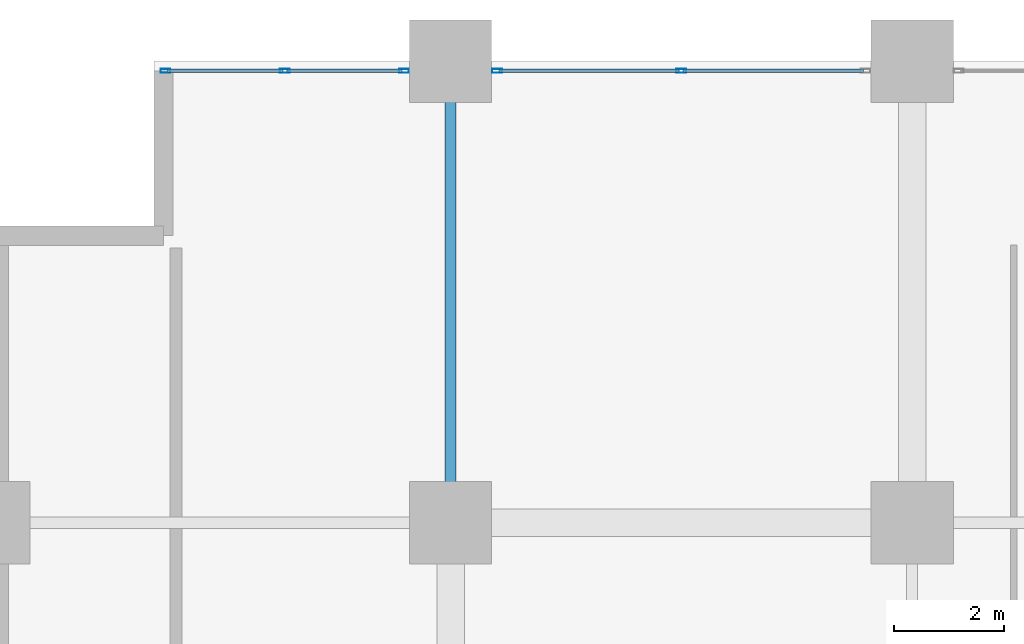
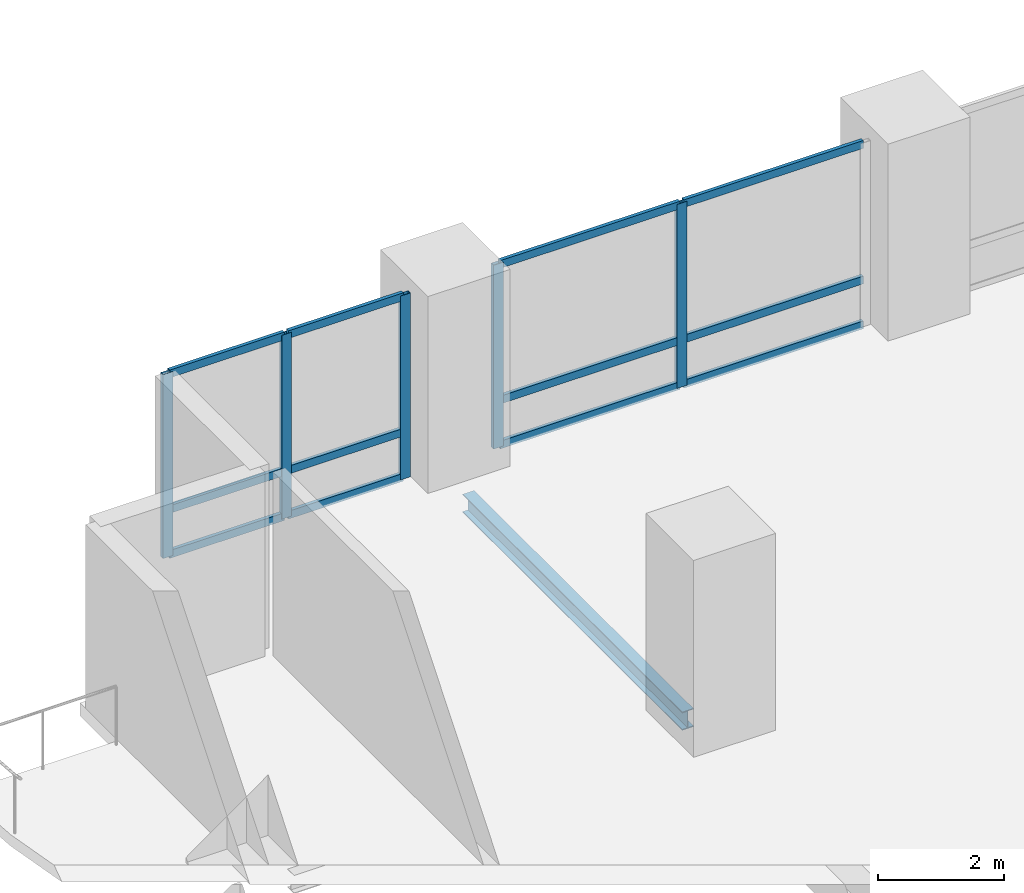
# One storey, part 3 of 24: 17 members, 1 beam, 2 elements without a shape of their own.
"""IFC4 building model written with IfcOpenShell, lengths in metres."""

import ifcopenshell
import ifcopenshell.guid

model = None  # the IFC model being written
_history = None  # IfcOwnerHistory: only IFC2X3 demands one
_inside = {}  # id of a spatial element -> (the spatial element, [elements in it])
_under = {}  # id of a project, library or spatial element -> (it, [spatial elements below it])
_declared = {}  # id of a project -> (the project, [libraries it declares])
_typed = {}  # id of a type object -> (the type object, [elements of that type])
_made_of = {}  # id of a material, layer set ... -> (it, [elements and type objects made of it])


def new_model(schema):
    """Start an empty IFC model of exactly this schema.

    Asked for "IFC4X3", IfcOpenShell would pick the latest addendum, in which some entities
    have other attributes; the version numbers below select the first issue.
    IFC2X3 requires an IfcOwnerHistory on every rooted entity: one is made here for all.
    """
    global model, _history
    if schema == "IFC4X3":
        model = ifcopenshell.file(schema_version=(4, 3, 0, 0))
    else:
        model = ifcopenshell.file(schema=schema)
    _inside.clear()
    _under.clear()
    _declared.clear()
    _typed.clear()
    _made_of.clear()
    _history = None
    if model.schema == "IFC2X3":
        org = make("IfcOrganization", Name="unknown")
        user = make(
            "IfcPersonAndOrganization",
            ThePerson=make("IfcPerson", FamilyName="unknown"),
            TheOrganization=org,
        )
        app = make(
            "IfcApplication",
            ApplicationDeveloper=org,
            Version="unknown",
            ApplicationFullName="unknown",
            ApplicationIdentifier="unknown",
        )
        _history = make(
            "IfcOwnerHistory",
            OwningUser=user,
            OwningApplication=app,
            ChangeAction="ADDED",
            CreationDate=0,
        )
    return model


def make(cls, **values):
    """One entity of the class cls with the attributes given. An attribute that is None is left unset."""
    return model.create_entity(
        cls, **{name: value for name, value in values.items() if value is not None}
    )


def rooted(cls, **values):
    """An entity with a GlobalId (a new one), such as an element, a storey or a relation."""
    return make(cls, GlobalId=ifcopenshell.guid.new(), OwnerHistory=_history, **values)


def si_unit(unit_type, name, prefix=None):
    """IfcSIUnit, for example si_unit("LENGTHUNIT", "METRE", prefix="MILLI")."""
    return make("IfcSIUnit", UnitType=unit_type, Prefix=prefix, Name=name)


def assignment(units):
    """IfcUnitAssignment: the units of a project."""
    return None if units is None else make("IfcUnitAssignment", Units=units)


def point(xyz):
    """IfcCartesianPoint."""
    return None if xyz is None else make("IfcCartesianPoint", Coordinates=xyz)


def direction(xyz):
    """IfcDirection."""
    return None if xyz is None else make("IfcDirection", DirectionRatios=xyz)


def frame(location, z_axis=None, x_axis=None):
    """IfcAxis2Placement3D, a coordinate frame: its origin and axes. An axis left out is left unset."""
    return make(
        "IfcAxis2Placement3D",
        Location=point(location),
        Axis=direction(z_axis),
        RefDirection=direction(x_axis),
    )


def frame_2d(location, x_axis=None):
    """IfcAxis2Placement2D, a coordinate frame in the plane: its origin and x axis."""
    return make(
        "IfcAxis2Placement2D", Location=point(location), RefDirection=direction(x_axis)
    )


def origin():
    """The frame at (0, 0, 0) with its axes left unset."""
    return frame((0.0, 0.0, 0.0))


def origin_2d():
    """The frame at (0, 0) in the plane with its x axis left unset."""
    return frame_2d((0.0, 0.0))


def place(relative_to, where):
    """IfcLocalPlacement: puts the frame where relative to a parent placement (None: the world)."""
    return make(
        "IfcLocalPlacement", PlacementRelTo=relative_to, RelativePlacement=where
    )


def context(
    kind, dimensions, precision=None, world=None, true_north=None, identifier=None
):
    """IfcGeometricRepresentationContext, for example the 3D "Model" context."""
    return make(
        "IfcGeometricRepresentationContext",
        ContextIdentifier=identifier,
        ContextType=kind,
        CoordinateSpaceDimension=dimensions,
        Precision=precision,
        WorldCoordinateSystem=world,
        TrueNorth=true_north,
    )


def subcontext(parent, identifier, kind, view, scale=None):
    """IfcGeometricRepresentationSubContext, for example "Body" below "Model"."""
    return make(
        "IfcGeometricRepresentationSubContext",
        ContextIdentifier=identifier,
        ContextType=kind,
        ParentContext=parent,
        TargetScale=scale,
        TargetView=view,
    )


def project(units=None, contexts=None):
    """IfcProject with its units and contexts."""
    return rooted(
        "IfcProject",
        Name="project",
        RepresentationContexts=contexts,
        UnitsInContext=assignment(units),
    )


def spatial(cls, under=None, at=None, **own):
    """A site, building, storey or space (cls), placed at a placement, below another one or the project."""
    s = rooted(cls, ObjectPlacement=at, **own)
    if under is not None:
        _under.setdefault(under.id(), (under, []))[1].append(s)
    return s


def profile(cls, at=None, kind="AREA", **sizes):
    """A parametric profile (cls). Its sizes go by their IFC names, for example OverallWidth=200.0."""
    return make(cls, ProfileType=kind, Position=at, **sizes)


def hollow_rectangle(**sizes):
    """IfcRectangleHollowProfileDef."""
    return profile("IfcRectangleHollowProfileDef", **sizes)


def i_section(**sizes):
    """IfcIShapeProfileDef."""
    return profile("IfcIShapeProfileDef", **sizes)


def extrude(swept, where, along, depth):
    """IfcExtrudedAreaSolid: the profile swept, set in the frame where, extruded along a direction by depth."""
    return make(
        "IfcExtrudedAreaSolid",
        SweptArea=swept,
        Position=where,
        ExtrudedDirection=direction(along),
        Depth=depth,
    )


def shape(context_of_items, identifier, shape_type, items):
    """IfcShapeRepresentation: the items that make up one representation, for example the "Body"."""
    return make(
        "IfcShapeRepresentation",
        ContextOfItems=context_of_items,
        RepresentationIdentifier=identifier,
        RepresentationType=shape_type,
        Items=items,
    )


def material(Name=None, Category=None):
    """IfcMaterial."""
    return make("IfcMaterial", Name=Name, Category=Category)


def layer(
    of_material, thickness, ventilated=None, Name=None, Category=None, Priority=None
):
    """IfcMaterialLayer: one layer of a wall or slab, of a material (None: an air gap)."""
    return make(
        "IfcMaterialLayer",
        Material=of_material,
        LayerThickness=thickness,
        IsVentilated=ventilated,
        Name=Name,
        Category=Category,
        Priority=Priority,
    )


def layer_set(layers, Name=None):
    """IfcMaterialLayerSet."""
    return make("IfcMaterialLayerSet", MaterialLayers=layers, LayerSetName=Name)


def material_profile(
    of_material, cross_section, Name=None, Category=None, Priority=None
):
    """IfcMaterialProfile: a cross section and its material."""
    return make(
        "IfcMaterialProfile",
        Name=Name,
        Material=of_material,
        Profile=cross_section,
        Priority=Priority,
        Category=Category,
    )


def profile_set(profiles, Name=None, composite=None):
    """IfcMaterialProfileSet."""
    return make(
        "IfcMaterialProfileSet",
        Name=Name,
        MaterialProfiles=profiles,
        CompositeProfile=composite,
    )


def made_of(thing, what):
    """Note that an element or type object is made of a material, layer set ...; save() writes the relation."""
    if what is not None:
        _made_of.setdefault(what.id(), (what, []))[1].append(thing)
    return thing


def type_object(cls, material=None, **own):
    """A type object (cls), such as IfcWallType, which elements share."""
    return made_of(rooted(cls, **own), material)


def element(
    cls,
    number,
    at=None,
    inside=None,
    cuts=None,
    type_object=None,
    material=None,
    context=None,
    identifier="Body",
    shape_type=None,
    held_by="IfcProductDefinitionShape",
    body=None,
    shapes=None,
    **own,
):
    """One element of the class cls, such as IfcWall. Its Tag is "e" and its number.

    at: its placement. inside: the storey or other place that contains it. cuts: it is an
    opening in that element (IfcRelVoidsElement). A single representation is given by context,
    identifier, shape_type and body (its items); several are given by shapes. held_by: the class
    of the entity that holds the representations. save() writes the other relations.
    """
    e = rooted(cls, Tag="e%d" % number, ObjectPlacement=at, **own)
    if body is not None:
        shapes = [shape(context, identifier, shape_type, body)]
    if shapes is not None:
        e.Representation = make(held_by, Representations=shapes)
    if inside is not None:
        _inside.setdefault(inside.id(), (inside, []))[1].append(e)
    if cuts is not None:
        rooted(
            "IfcRelVoidsElement", RelatingBuildingElement=cuts, RelatedOpeningElement=e
        )
    if type_object is not None:
        _typed.setdefault(type_object.id(), (type_object, []))[1].append(e)
    return made_of(e, material)


def aggregate(whole, parts):
    """IfcRelAggregates: a whole, such as a stair, and the parts it consists of."""
    return rooted("IfcRelAggregates", RelatingObject=whole, RelatedObjects=parts)


def save(model, path):
    """Write the relations noted so far, then the file.

    IfcRelAggregates (storeys below a building ...), IfcRelContainedInSpatialStructure (elements
    in a storey), IfcRelDefinesByType, IfcRelAssociatesMaterial and IfcRelDeclares: one each for
    every whole, place, type object, material and project.
    """
    for whole, parts in _under.values():
        aggregate(whole, parts)
    for where, things in _inside.values():
        rooted(
            "IfcRelContainedInSpatialStructure",
            RelatedElements=things,
            RelatingStructure=where,
        )
    for kind, things in _typed.values():
        rooted("IfcRelDefinesByType", RelatedObjects=things, RelatingType=kind)
    for what, things in _made_of.values():
        rooted("IfcRelAssociatesMaterial", RelatedObjects=things, RelatingMaterial=what)
    for by, libraries in _declared.values():
        rooted("IfcRelDeclares", RelatingContext=by, RelatedDefinitions=libraries)
    model.write(path)


model = new_model("IFC4")

# Units and contexts
model_context = context("Model", 3, precision=1e-05, world=origin(), true_north=direction((0.0, 1.0)))
body_context = subcontext(model_context, "Body", "Model", "MODEL_VIEW")
ifc_project = project(units=[si_unit("LENGTHUNIT", "METRE"), si_unit("AREAUNIT", "SQUARE_METRE"), si_unit("VOLUMEUNIT", "CUBIC_METRE"), si_unit("PLANEANGLEUNIT", "RADIAN"), si_unit("MASSUNIT", "GRAM", prefix="KILO")], contexts=[model_context])

# Site, building, storey
site_placement = place(None, origin())
site = spatial("IfcSite", under=ifc_project, at=site_placement, CompositionType="ELEMENT")
building_placement = place(site_placement, origin())
building = spatial("IfcBuilding", under=site, at=building_placement, Name="Koriwani Terraces Tower", CompositionType="ELEMENT")
storey_placement = place(building_placement, frame((0.0, 0.0, 47.199951171875)))
storey = spatial("IfcBuildingStorey", under=building, at=storey_placement, Name="L10", CompositionType="ELEMENT", Elevation=47.199951171875)

# Curtain wall, members
ifc_material_1 = material(Name="Anodised Bronze Aluminium", Category="aluminium")
ifc_layer = layer(ifc_material_1, 0.179931640625, Name="Anodised Bronze Aluminium")
ifc_layer_set = layer_set([ifc_layer], Name="Anodised Bronze Aluminium")
curtain_wall_type = type_object("IfcCurtainWallType", Name="CW_HOTEL_ZONE1", PredefinedType="NOTDEFINED", material=ifc_layer_set)
curtain_wall_1_placement = place(storey_placement, origin())
curtain_wall_1 = element("IfcCurtainWall", 1, at=curtain_wall_1_placement, inside=storey, type_object=curtain_wall_type, Name="L10 Unitised Curtain Wall (N_TIP) Bay 1", PredefinedType="NOTDEFINED")
ifc_material_profile_1 = material_profile(ifc_material_1, hollow_rectangle(XDim=0.074951171875, YDim=0.179931640625, WallThickness=0.006103515625, at=origin_2d()), Name="Anodised Bronze Aluminium", Category="LoadBearing")
ifc_profile_set_1 = profile_set([ifc_material_profile_1], Name="Anodised Bronze Aluminium")
member_type_1 = type_object("IfcMemberType", Name="CW_MULLION_180X75", PredefinedType="MULLION", material=ifc_profile_set_1)
member_1_placement = place(storey_placement, frame((3.21240234375, 92.22509765625, 0.0), z_axis=(0.0, 0.0, 1.0), x_axis=(0.0, 1.0, 0.0)))
member_1 = element("IfcMember", 2, at=member_1_placement, type_object=member_type_1, Name="CW-Z1 mullion 1", PredefinedType="MULLION", context=body_context, shape_type="SweptSolid", body=[
    extrude(hollow_rectangle(XDim=0.074951171875, YDim=0.179931640625, WallThickness=0.006103515625, at=origin_2d()), origin(), (0.0, 0.0, 1.0), 3.550048828125),
])
member_2_placement = place(storey_placement, frame((5.382568359375, 92.22509765625, 0.0), z_axis=(0.0, 0.0, 1.0), x_axis=(0.0, 1.0, 0.0)))
member_2 = element("IfcMember", 3, at=member_2_placement, type_object=member_type_1, Name="CW-Z1 mullion 2", PredefinedType="MULLION", context=body_context, shape_type="SweptSolid", body=[
    extrude(hollow_rectangle(XDim=0.074951171875, YDim=0.179931640625, WallThickness=0.006103515625, at=origin_2d()), origin(), (0.0, 0.0, 1.0), 3.550048828125),
])
member_3_placement = place(storey_placement, frame((7.552490234375, 92.22509765625, 0.0), z_axis=(0.0, 0.0, 1.0), x_axis=(0.0, 1.0, 0.0)))
member_3 = element("IfcMember", 4, at=member_3_placement, type_object=member_type_1, Name="CW-Z1 mullion 3", PredefinedType="MULLION", context=body_context, shape_type="SweptSolid", body=[
    extrude(hollow_rectangle(XDim=0.074951171875, YDim=0.179931640625, WallThickness=0.006103515625, at=origin_2d()), origin(), (0.0, 0.0, 1.0), 3.550048828125),
])

curtain_wall_2_placement = place(storey_placement, origin())
curtain_wall_2 = element("IfcCurtainWall", 5, at=curtain_wall_2_placement, inside=storey, type_object=curtain_wall_type, Name="L10 Unitised Curtain Wall (N_TIP) Bay 2", PredefinedType="NOTDEFINED")
member_4_placement = place(storey_placement, frame((9.24755859375, 92.22509765625, 0.0), z_axis=(0.0, 0.0, 1.0), x_axis=(0.0, 1.0, 0.0)))
member_4 = element("IfcMember", 6, at=member_4_placement, type_object=member_type_1, Name="CW-Z1 mullion 1", PredefinedType="MULLION", context=body_context, shape_type="SweptSolid", body=[
    extrude(hollow_rectangle(XDim=0.074951171875, YDim=0.179931640625, WallThickness=0.006103515625, at=origin_2d()), origin(), (0.0, 0.0, 1.0), 3.550048828125),
])
member_5_placement = place(storey_placement, frame((12.60009765625, 92.22509765625, 0.0), z_axis=(0.0, 0.0, 1.0), x_axis=(0.0, 1.0, 0.0)))
member_5 = element("IfcMember", 7, at=member_5_placement, type_object=member_type_1, Name="CW-Z1 mullion 2", PredefinedType="MULLION", context=body_context, shape_type="SweptSolid", body=[
    extrude(hollow_rectangle(XDim=0.074951171875, YDim=0.179931640625, WallThickness=0.006103515625, at=origin_2d()), origin(), (0.0, 0.0, 1.0), 3.550048828125),
])

# Member
ifc_material_profile_2 = material_profile(ifc_material_1, hollow_rectangle(XDim=0.06494140625, YDim=0.14990234375, WallThickness=0.0048828125, at=origin_2d()), Name="Anodised Bronze Aluminium", Category="LoadBearing")
ifc_profile_set_2 = profile_set([ifc_material_profile_2], Name="Anodised Bronze Aluminium")
member_type_2 = type_object("IfcMemberType", Name="CW_TRANSOM_150X65", PredefinedType="USERDEFINED", material=ifc_profile_set_2)
member_6_placement = place(storey_placement, frame((3.25, 92.22509765625, 0.032470703125), z_axis=(1.0, 0.0, 0.0), x_axis=(0.0, 1.0, 0.0)))
member_6 = element("IfcMember", 8, at=member_6_placement, type_object=member_type_2, Name="CW-Z1 transom 1.1", ObjectType="TRANSOM", PredefinedType="USERDEFINED", context=body_context, shape_type="SweptSolid", body=[
    extrude(hollow_rectangle(XDim=0.06494140625, YDim=0.14990234375, WallThickness=0.0048828125, at=origin_2d()), origin(), (0.0, 0.0, 1.0), 2.094970703125),
])

member_7_placement = place(storey_placement, frame((3.25, 92.22509765625, 0.900146484375), z_axis=(1.0, 0.0, 0.0), x_axis=(0.0, 1.0, 0.0)))
member_7 = element("IfcMember", 9, at=member_7_placement, type_object=member_type_2, Name="CW-Z1 transom 1.2", ObjectType="TRANSOM", PredefinedType="USERDEFINED", context=body_context, shape_type="SweptSolid", body=[
    extrude(hollow_rectangle(XDim=0.06494140625, YDim=0.14990234375, WallThickness=0.0048828125, at=origin_2d()), origin(), (0.0, 0.0, 1.0), 2.094970703125),
])

member_8_placement = place(storey_placement, frame((3.25, 92.22509765625, 3.517578125), z_axis=(1.0, 0.0, 0.0), x_axis=(0.0, 1.0, 0.0)))
member_8 = element("IfcMember", 10, at=member_8_placement, type_object=member_type_2, Name="CW-Z1 transom 1.3", ObjectType="TRANSOM", PredefinedType="USERDEFINED", context=body_context, shape_type="SweptSolid", body=[
    extrude(hollow_rectangle(XDim=0.06494140625, YDim=0.14990234375, WallThickness=0.0048828125, at=origin_2d()), origin(), (0.0, 0.0, 1.0), 2.094970703125),
])

member_9_placement = place(storey_placement, frame((5.419921875, 92.22509765625, 0.032470703125), z_axis=(1.0, 0.0, 0.0), x_axis=(0.0, 1.0, 0.0)))
member_9 = element("IfcMember", 11, at=member_9_placement, type_object=member_type_2, Name="CW-Z1 transom 2.1", ObjectType="TRANSOM", PredefinedType="USERDEFINED", context=body_context, shape_type="SweptSolid", body=[
    extrude(hollow_rectangle(XDim=0.06494140625, YDim=0.14990234375, WallThickness=0.0048828125, at=origin_2d()), origin(), (0.0, 0.0, 1.0), 2.094970703125),
])

member_10_placement = place(storey_placement, frame((5.419921875, 92.22509765625, 0.900146484375), z_axis=(1.0, 0.0, 0.0), x_axis=(0.0, 1.0, 0.0)))
member_10 = element("IfcMember", 12, at=member_10_placement, type_object=member_type_2, Name="CW-Z1 transom 2.2", ObjectType="TRANSOM", PredefinedType="USERDEFINED", context=body_context, shape_type="SweptSolid", body=[
    extrude(hollow_rectangle(XDim=0.06494140625, YDim=0.14990234375, WallThickness=0.0048828125, at=origin_2d()), origin(), (0.0, 0.0, 1.0), 2.094970703125),
])

member_11_placement = place(storey_placement, frame((5.419921875, 92.22509765625, 3.517578125), z_axis=(1.0, 0.0, 0.0), x_axis=(0.0, 1.0, 0.0)))
member_11 = element("IfcMember", 13, at=member_11_placement, type_object=member_type_2, Name="CW-Z1 transom 2.3", ObjectType="TRANSOM", PredefinedType="USERDEFINED", context=body_context, shape_type="SweptSolid", body=[
    extrude(hollow_rectangle(XDim=0.06494140625, YDim=0.14990234375, WallThickness=0.0048828125, at=origin_2d()), origin(), (0.0, 0.0, 1.0), 2.094970703125),
])

aggregate(curtain_wall_1, [member_1, member_2, member_3, member_6, member_7, member_8, member_9, member_10, member_11])

member_12_placement = place(storey_placement, frame((9.284912109375, 92.22509765625, 0.032470703125), z_axis=(1.0, 0.0, 0.0), x_axis=(0.0, 1.0, 0.0)))
member_12 = element("IfcMember", 14, at=member_12_placement, type_object=member_type_2, Name="CW-Z1 transom 1.1", ObjectType="TRANSOM", PredefinedType="USERDEFINED", context=body_context, shape_type="SweptSolid", body=[
    extrude(hollow_rectangle(XDim=0.06494140625, YDim=0.14990234375, WallThickness=0.0048828125, at=origin_2d()), origin(), (0.0, 0.0, 1.0), 3.277587890625),
])

member_13_placement = place(storey_placement, frame((9.284912109375, 92.22509765625, 0.900146484375), z_axis=(1.0, 0.0, 0.0), x_axis=(0.0, 1.0, 0.0)))
member_13 = element("IfcMember", 15, at=member_13_placement, type_object=member_type_2, Name="CW-Z1 transom 1.2", ObjectType="TRANSOM", PredefinedType="USERDEFINED", context=body_context, shape_type="SweptSolid", body=[
    extrude(hollow_rectangle(XDim=0.06494140625, YDim=0.14990234375, WallThickness=0.0048828125, at=origin_2d()), origin(), (0.0, 0.0, 1.0), 3.277587890625),
])

member_14_placement = place(storey_placement, frame((9.284912109375, 92.22509765625, 3.517578125), z_axis=(1.0, 0.0, 0.0), x_axis=(0.0, 1.0, 0.0)))
member_14 = element("IfcMember", 16, at=member_14_placement, type_object=member_type_2, Name="CW-Z1 transom 1.3", ObjectType="TRANSOM", PredefinedType="USERDEFINED", context=body_context, shape_type="SweptSolid", body=[
    extrude(hollow_rectangle(XDim=0.06494140625, YDim=0.14990234375, WallThickness=0.0048828125, at=origin_2d()), origin(), (0.0, 0.0, 1.0), 3.277587890625),
])

member_15_placement = place(storey_placement, frame((12.637451171875, 92.22509765625, 0.032470703125), z_axis=(1.0, 0.0, 0.0), x_axis=(0.0, 1.0, 0.0)))
member_15 = element("IfcMember", 17, at=member_15_placement, type_object=member_type_2, Name="CW-Z1 transom 2.1", ObjectType="TRANSOM", PredefinedType="USERDEFINED", context=body_context, shape_type="SweptSolid", body=[
    extrude(hollow_rectangle(XDim=0.06494140625, YDim=0.14990234375, WallThickness=0.0048828125, at=origin_2d()), origin(), (0.0, 0.0, 1.0), 3.277587890625),
])

member_16_placement = place(storey_placement, frame((12.637451171875, 92.22509765625, 0.900146484375), z_axis=(1.0, 0.0, 0.0), x_axis=(0.0, 1.0, 0.0)))
member_16 = element("IfcMember", 18, at=member_16_placement, type_object=member_type_2, Name="CW-Z1 transom 2.2", ObjectType="TRANSOM", PredefinedType="USERDEFINED", context=body_context, shape_type="SweptSolid", body=[
    extrude(hollow_rectangle(XDim=0.06494140625, YDim=0.14990234375, WallThickness=0.0048828125, at=origin_2d()), origin(), (0.0, 0.0, 1.0), 3.277587890625),
])

member_17_placement = place(storey_placement, frame((12.637451171875, 92.22509765625, 3.517578125), z_axis=(1.0, 0.0, 0.0), x_axis=(0.0, 1.0, 0.0)))
member_17 = element("IfcMember", 19, at=member_17_placement, type_object=member_type_2, Name="CW-Z1 transom 2.3", ObjectType="TRANSOM", PredefinedType="USERDEFINED", context=body_context, shape_type="SweptSolid", body=[
    extrude(hollow_rectangle(XDim=0.06494140625, YDim=0.14990234375, WallThickness=0.0048828125, at=origin_2d()), origin(), (0.0, 0.0, 1.0), 3.277587890625),
])

aggregate(curtain_wall_2, [member_4, member_5, member_12, member_13, member_14, member_15, member_16, member_17])

# Beam
ifc_material_2 = material(Name="Steel ASTM A572 Grade 50", Category="steel")
ifc_material_profile_3 = material_profile(ifc_material_2, i_section(OverallWidth=0.205078125, OverallDepth=0.35400390625, WebThickness=0.009521484375, FlangeThickness=0.016845703125, at=origin_2d()), Name="Steel ASTM A572 Grade 50", Category="LoadBearing")
ifc_profile_set_3 = profile_set([ifc_material_profile_3], Name="Steel ASTM A572 Grade 50")
beam_type = type_object("IfcBeamType", Name="STEEL_BEAM_W360X79", PredefinedType="JOIST", material=ifc_profile_set_3)
beam_placement = place(storey_placement, frame((8.39990234375, 84.72998046875, -0.427001953125), z_axis=(0.0, 1.0, 0.0), x_axis=(-1.0, 0.0, 0.0)))
element("IfcBeam", 20, at=beam_placement, inside=storey, type_object=beam_type, Name="L10 Grid Beam 2 (84.0-92.4m)", PredefinedType="JOIST", context=body_context, shape_type="SweptSolid", body=[
    extrude(i_section(OverallWidth=0.205078125, OverallDepth=0.35400390625, WebThickness=0.009521484375, FlangeThickness=0.016845703125, at=origin_2d()), origin(), (0.0, 0.0, 1.0), 6.93994140625),
])

save(model, "model.ifc")
